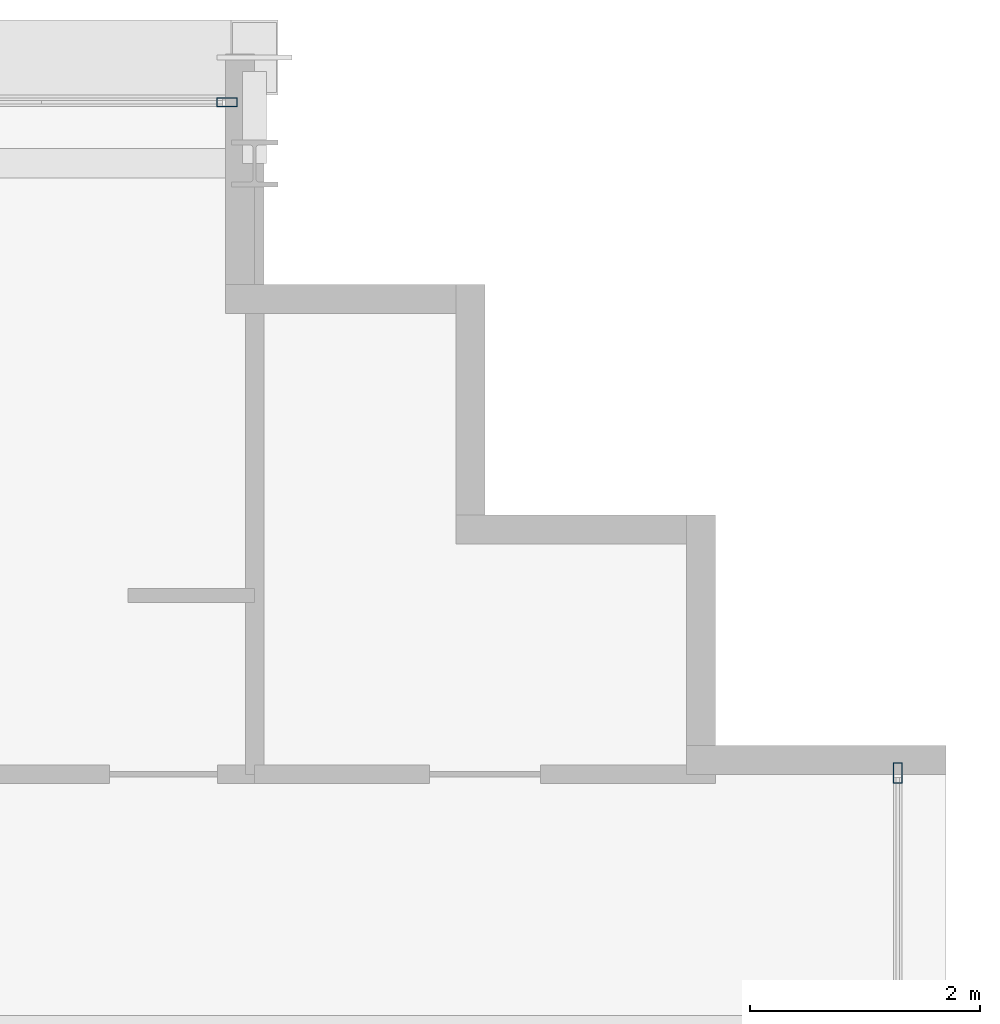
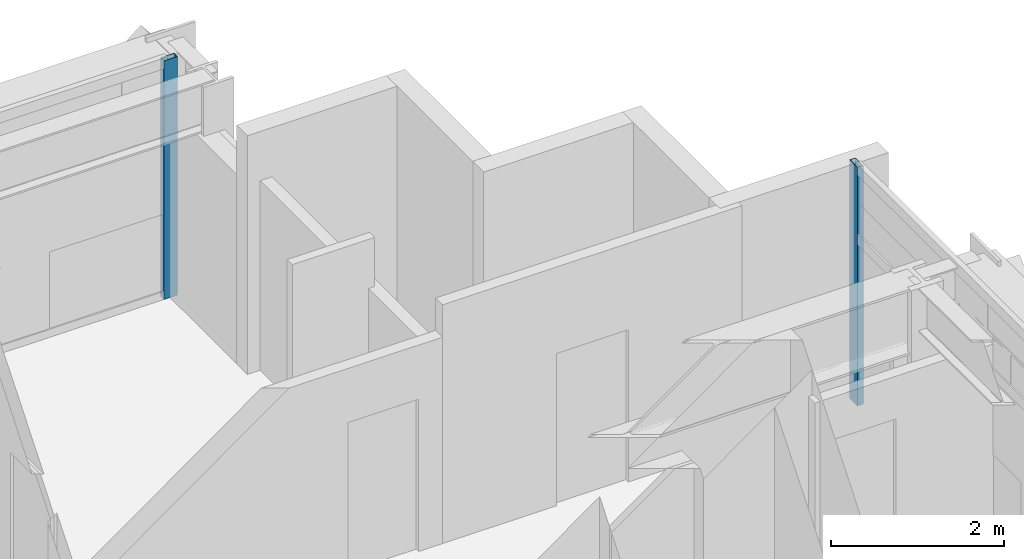
# One storey, part 19 of 32: 2 members, 2 elements without a shape of their own.
"""IFC4 building model written with IfcOpenShell, lengths in metres."""

from ifc_helpers import new_model, si_unit, direction, frame, origin, origin_2d, place, context, subcontext, project, spatial, hollow_rectangle, extrude, source, transform, mapped, material, layer, layer_set, material_profile, profile_set, type_object, element, aggregate, save


model = new_model("IFC4")

# Units and contexts
model_context = context("Model", 3, precision=1e-05, world=origin(), true_north=direction((0.0, 1.0)))
body_context = subcontext(model_context, "Body", "Model", "MODEL_VIEW")
ifc_project = project(units=[si_unit("LENGTHUNIT", "METRE"), si_unit("AREAUNIT", "SQUARE_METRE"), si_unit("VOLUMEUNIT", "CUBIC_METRE"), si_unit("PLANEANGLEUNIT", "RADIAN"), si_unit("MASSUNIT", "GRAM", prefix="KILO")], contexts=[model_context])

# Site, building, storey
site_placement = place(None, origin())
site = spatial("IfcSite", under=ifc_project, at=site_placement, CompositionType="ELEMENT")
building_placement = place(site_placement, origin())
building = spatial("IfcBuilding", under=site, at=building_placement, Name="Ocotamira Hotel", CompositionType="ELEMENT")
storey_placement = place(building_placement, frame((0.0, 0.0, 213.60009765625)))
storey = spatial("IfcBuildingStorey", under=building, at=storey_placement, Name="L54", CompositionType="ELEMENT", Elevation=213.60009765625)

# Curtain wall, member
ifc_material_1 = material(Name="Anodised pale-metal aluminium and solar glass", Category="aluminium")
ifc_layer = layer(ifc_material_1, 0.199951171875)
ifc_layer_set = layer_set([ifc_layer], Name="Anodised pale-metal aluminium and solar glass")
curtain_wall_type = type_object("IfcCurtainWallType", Name="CW-SYS4-Z3", PredefinedType="NOTDEFINED", material=ifc_layer_set)
curtain_wall_1_placement = place(storey_placement, origin())
curtain_wall_1 = element("IfcCurtainWall", 1, at=curtain_wall_1_placement, inside=storey, type_object=curtain_wall_type, Name="L54 Curtain Wall CW-4 CW-L54-N", PredefinedType="NOTDEFINED")
ifc_material_2 = material(Name="Anodised pale-metal aluminium 6063-T6", Category="aluminium")
ifc_material_profile = material_profile(ifc_material_2, hollow_rectangle(XDim=0.080078125, YDim=0.179931640625, WallThickness=0.006103515625, at=origin_2d()), Name="HSS180X80X6")
ifc_profile_set = profile_set([ifc_material_profile], Name="Anodised pale-metal aluminium 6063-T6")
member_type = type_object("IfcMemberType", Name="CWM-180X75", PredefinedType="MULLION", material=ifc_profile_set)
shared_shape = source(origin(), body_context, "Body", "SweptSolid", [
    extrude(hollow_rectangle(XDim=0.080078125, YDim=0.179931640625, WallThickness=0.006103515625, at=origin_2d()), origin(), (0.0, 0.0, 1.0), 3.369873046875),
])
member_1_placement = place(storey_placement, frame((49.760009765625, 45.580078125, 0.0), z_axis=(0.0, 0.0, 1.0), x_axis=(0.0, 1.0, 0.0)))
member_1 = element("IfcMember", 2, at=member_1_placement, type_object=member_type, Name="CW-4 mullion 10", PredefinedType="MULLION", context=body_context, shape_type="MappedRepresentation", body=[
    mapped(shared_shape, transform((0.0, 0.0, 0.0), scale=1.0)),
])
aggregate(curtain_wall_1, [member_1])

curtain_wall_2_placement = place(storey_placement, origin())
curtain_wall_2 = element("IfcCurtainWall", 3, at=curtain_wall_2_placement, inside=storey, type_object=curtain_wall_type, Name="L54 Curtain Wall CW-4 CW-L54-E", PredefinedType="NOTDEFINED")
member_2_placement = place(storey_placement, frame((55.580078125, 39.760009765625, 0.0), z_axis=(0.0, 0.0, 1.0), x_axis=(-1.0, 0.0, 0.0)))
member_2 = element("IfcMember", 4, at=member_2_placement, type_object=member_type, Name="CW-4 mullion 6", PredefinedType="MULLION", context=body_context, shape_type="MappedRepresentation", body=[
    mapped(shared_shape, transform((0.0, 0.0, 0.0), scale=1.0)),
])
aggregate(curtain_wall_2, [member_2])

save(model, "model.ifc")
